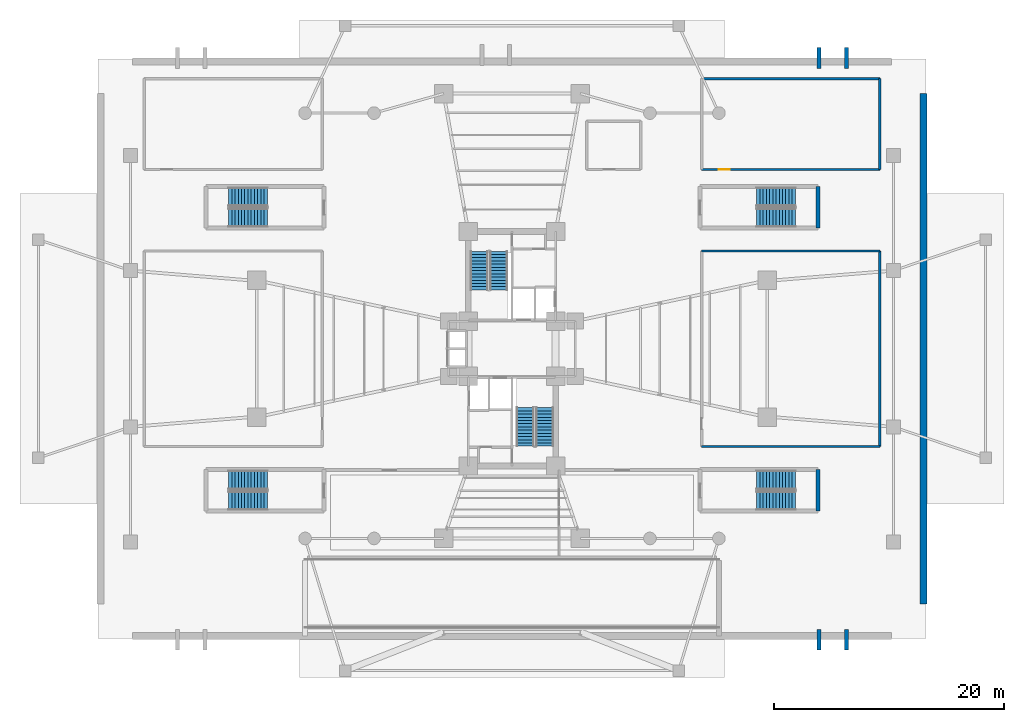
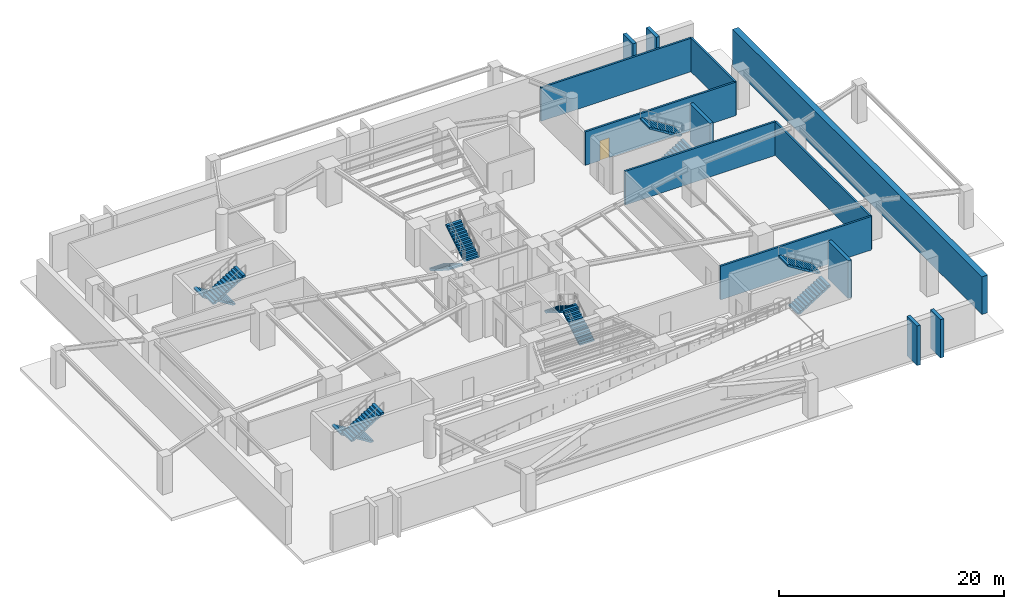
# One storey, part 10 of 14: 13 walls, 12 stair flights, 1 door, 1 opening, 6 elements without a shape of their own.
"""IFC4 building model written with IfcOpenShell, lengths in metres."""

from ifc_helpers import new_model, si_unit, direction, frame, frame_2d, origin, origin_2d, place, context, subcontext, project, spatial, polyline, rectangle, outline, extrude, source, transform, mapped, material, layer, layer_set, type_object, element, fill, aggregate, save


model = new_model("IFC4")

# Units and contexts
model_context = context("Model", 3, precision=1e-05, world=origin(), true_north=direction((0.0, 1.0)))
body_context = subcontext(model_context, "Body", "Model", "MODEL_VIEW")
ifc_project = project(units=[si_unit("LENGTHUNIT", "METRE"), si_unit("AREAUNIT", "SQUARE_METRE"), si_unit("VOLUMEUNIT", "CUBIC_METRE"), si_unit("PLANEANGLEUNIT", "RADIAN"), si_unit("MASSUNIT", "GRAM", prefix="KILO")], contexts=[model_context])

# Site, building, storey
site_placement = place(None, origin())
site = spatial("IfcSite", under=ifc_project, at=site_placement, CompositionType="ELEMENT")
building_placement = place(site_placement, origin())
building = spatial("IfcBuilding", under=site, at=building_placement, Name="Sahyath Konkavel Grand Hotel", CompositionType="ELEMENT")
storey_placement = place(building_placement, frame((0.0, 0.0, -4.5)))
storey = spatial("IfcBuildingStorey", under=building, at=storey_placement, Name="B1", CompositionType="ELEMENT", Elevation=-4.5)

# Walls
ifc_material_1 = material(Name="Concrete C50/60", Category="concrete")
ifc_layer_1 = layer(ifc_material_1, 0.60009765625)
ifc_layer_set_1 = layer_set([ifc_layer_1], Name="Concrete C50/60")
wall_type_1 = type_object("IfcWallType", Name="BWALL-600", PredefinedType="SOLIDWALL", material=ifc_layer_set_1)
wall_1_placement = place(storey_placement, frame((35.800048828125, -22.199951171875, 0.0), z_axis=(0.0, 0.0, 1.0), x_axis=(0.0, 1.0, 0.0)))
element("IfcWall", 1, at=wall_1_placement, inside=storey, type_object=wall_type_1, Name="B1 Perimeter Retaining Wall E", PredefinedType="SOLIDWALL", context=body_context, shape_type="SweptSolid", body=[
    extrude(rectangle(XDim=44.39990234375, YDim=0.60009765625, at=frame_2d((22.199951171875, 0.0))), origin(), (0.0, 0.0, 1.0), 4.10009765625),
])
ifc_material_2 = material(Name="Concrete C40/50", Category="concrete")
ifc_layer_2 = layer(ifc_material_2, 0.35009765625)
ifc_layer_set_2 = layer_set([ifc_layer_2], Name="Concrete C40/50")
wall_type_2 = type_object("IfcWallType", Name="CWALL-350", PredefinedType="SHEAR", material=ifc_layer_set_2)
wall_2_placement = place(storey_placement, frame((26.699951171875, 24.39990234375, 0.0), z_axis=(0.0, 0.0, 1.0), x_axis=(0.0, 1.0, 0.0)))
element("IfcWall", 2, at=wall_2_placement, inside=storey, type_object=wall_type_2, Name="B1 Pedestrian Ramp Bearing Wall PR2-A", PredefinedType="SHEAR", context=body_context, shape_type="SweptSolid", body=[
    extrude(rectangle(XDim=1.800048828125, YDim=0.35009765625, at=frame_2d((0.89990234375, 0.0))), origin(), (0.0, 0.0, 1.0), 4.320068359375),
])
wall_3_placement = place(storey_placement, frame((29.10009765625, 24.39990234375, 0.0), z_axis=(0.0, 0.0, 1.0), x_axis=(0.0, 1.0, 0.0)))
element("IfcWall", 3, at=wall_3_placement, inside=storey, type_object=wall_type_2, Name="B1 Pedestrian Ramp Bearing Wall PR2-B", PredefinedType="SHEAR", context=body_context, shape_type="SweptSolid", body=[
    extrude(rectangle(XDim=1.800048828125, YDim=0.35009765625, at=frame_2d((0.89990234375, 0.0))), origin(), (0.0, 0.0, 1.0), 4.169921875),
])
wall_4_placement = place(storey_placement, frame((26.699951171875, -26.199951171875, 0.0), z_axis=(0.0, 0.0, 1.0), x_axis=(0.0, 1.0, 0.0)))
element("IfcWall", 4, at=wall_4_placement, inside=storey, type_object=wall_type_2, Name="B1 Pedestrian Ramp Bearing Wall PR4-A", PredefinedType="SHEAR", context=body_context, shape_type="SweptSolid", body=[
    extrude(rectangle(XDim=1.800048828125, YDim=0.35009765625, at=frame_2d((0.89990234375, 0.0))), origin(), (0.0, 0.0, 1.0), 4.320068359375),
])
wall_5_placement = place(storey_placement, frame((29.10009765625, -26.199951171875, 0.0), z_axis=(0.0, 0.0, 1.0), x_axis=(0.0, 1.0, 0.0)))
element("IfcWall", 5, at=wall_5_placement, inside=storey, type_object=wall_type_2, Name="B1 Pedestrian Ramp Bearing Wall PR4-B", PredefinedType="SHEAR", context=body_context, shape_type="SweptSolid", body=[
    extrude(rectangle(XDim=1.800048828125, YDim=0.35009765625, at=frame_2d((0.89990234375, 0.0))), origin(), (0.0, 0.0, 1.0), 4.169921875),
])
for number, where, z_axis, x_axis, name in (
    (6, (26.60009765625, 10.52001953125, 0.0), (0.0, 0.0, 1.0), (0.0, 1.0, 0.0), "B1 Partition ST-P2-E"),
    (7, (26.60009765625, -14.10009765625, 0.0), (0.0, 0.0, 1.0), (0.0, 1.0, 0.0), "B1 Partition ST-P4-E"),
):
    element("IfcWall", number, at=place(storey_placement, frame(where, z_axis=z_axis, x_axis=x_axis)), inside=storey, type_object=wall_type_2, Name=name, PredefinedType="SHEAR", context=body_context, shape_type="SweptSolid", body=[
        extrude(rectangle(XDim=3.580078125, YDim=0.35009765625, at=frame_2d((1.7900390625, 0.0))), origin(), (0.0, 0.0, 1.0), 4.10009765625),
    ])
ifc_layer_3 = layer(ifc_material_2, 0.199951171875)
ifc_layer_set_3 = layer_set([ifc_layer_3], Name="Concrete C40/50")
wall_type_3 = type_object("IfcWallType", Name="WLL-CORE-200", PredefinedType="SOLIDWALL", material=ifc_layer_set_3)
for number, where, z_axis, x_axis, name in (
    (8, (16.5, 8.5, 0.0), (0.0, 0.0, 1.0), (1.0, 0.0, 0.0), "B1 Partition B1-SUBS-N"),
    (9, (16.5, -8.5, 0.0), (0.0, 0.0, 1.0), (1.0, 0.0, 0.0), "B1 Partition B1-SUBS-S"),
):
    element("IfcWall", number, at=place(storey_placement, frame(where, z_axis=z_axis, x_axis=x_axis)), inside=storey, type_object=wall_type_3, Name=name, PredefinedType="SOLIDWALL", context=body_context, shape_type="SweptSolid", body=[
        extrude(rectangle(XDim=15.5, YDim=0.199951171875, at=frame_2d((7.75, 0.0))), origin(), (0.0, 0.0, 1.0), 3.64990234375),
    ])
wall_6_placement = place(storey_placement, frame((32.0, -8.5, 0.0), z_axis=(0.0, 0.0, 1.0), x_axis=(0.0, 1.0, 0.0)))
element("IfcWall", 10, at=wall_6_placement, inside=storey, type_object=wall_type_3, Name="B1 Partition B1-SUBS-E", PredefinedType="SOLIDWALL", context=body_context, shape_type="SweptSolid", body=[
    extrude(rectangle(XDim=17.0, YDim=0.199951171875, at=frame_2d((8.5, 0.0))), origin(), (0.0, 0.0, 1.0), 3.64990234375),
])
wall_7_placement = place(storey_placement, frame((16.5, 23.5, 0.0), z_axis=(0.0, 0.0, 1.0), x_axis=(1.0, 0.0, 0.0)))
element("IfcWall", 11, at=wall_7_placement, inside=storey, type_object=wall_type_3, Name="B1 Partition B1-LAUN-N", PredefinedType="SOLIDWALL", context=body_context, shape_type="SweptSolid", body=[
    extrude(rectangle(XDim=15.5, YDim=0.199951171875, at=frame_2d((7.75, 0.0))), origin(), (0.0, 0.0, 1.0), 3.64990234375),
])

# Wall, opening, door
wall_8_placement = place(storey_placement, frame((16.5, 15.60009765625, 0.0), z_axis=(0.0, 0.0, 1.0), x_axis=(1.0, 0.0, 0.0)))
wall_8 = element("IfcWall", 12, at=wall_8_placement, inside=storey, type_object=wall_type_3, Name="B1 Partition B1-LAUN-S", PredefinedType="SOLIDWALL", context=body_context, shape_type="SweptSolid", body=[
    extrude(rectangle(XDim=15.5, YDim=0.199951171875, at=frame_2d((7.75, 0.0))), origin(), (0.0, 0.0, 1.0), 3.64990234375),
])
opening_placement = place(wall_8_placement, frame((1.5, 0.0, 0.0)))
opening = element("IfcOpeningElement", 13, at=opening_placement, cuts=wall_8, Name="Opening D-F06B", PredefinedType="OPENING", context=body_context, shape_type="SweptSolid", body=[
    extrude(rectangle(XDim=0.949951171875, YDim=2.14990234375, at=frame_2d((0.47509765625, 1.074951171875))), frame((0.0, 0.10986328125, 0.0), z_axis=(0.0, -1.0, 0.0), x_axis=(1.0, 0.0, 0.0)), (0.0, 0.0, 1.0), 0.219970703125),
])
ifc_material_3 = material(Name="Teak Veneer Fire-Rated Guest Entrance Door")
door_type = type_object("IfcDoorType", Name="DR-FD60-950", OperationType="NOTDEFINED", PredefinedType="DOOR", material=ifc_material_3)
shared_shape = source(origin(), body_context, "Body", "SweptSolid", [
    extrude(rectangle(XDim=0.949951171875, YDim=0.050048828125, at=origin_2d()), origin(), (0.0, 0.0, 1.0), 2.14990234375),
])
door_placement = place(opening_placement, frame((0.47509765625, 0.0, 0.0)))
door = element("IfcDoor", 14, at=door_placement, inside=storey, type_object=door_type, Name="B1 Door B1-LAUN-D", OperationType="SINGLE_SWING_RIGHT", OverallHeight=2.14990234375, OverallWidth=0.949951171875, PredefinedType="DOOR", context=body_context, shape_type="MappedRepresentation", body=[
    mapped(shared_shape, transform((0.0, 0.0, 0.0), scale=1.0)),
])
fill(opening, door)

# Wall
wall_9_placement = place(storey_placement, frame((32.0, 15.60009765625, 0.0), z_axis=(0.0, 0.0, 1.0), x_axis=(0.0, 1.0, 0.0)))
element("IfcWall", 15, at=wall_9_placement, inside=storey, type_object=wall_type_3, Name="B1 Partition B1-LAUN-E", PredefinedType="SOLIDWALL", context=body_context, shape_type="SweptSolid", body=[
    extrude(rectangle(XDim=7.89990234375, YDim=0.199951171875, at=frame_2d((3.949951171875, 0.0))), origin(), (0.0, 0.0, 1.0), 3.64990234375),
])

# Stair, stair flights
stair_type = type_object("IfcStairType", Name="STR-ST16-450", PredefinedType="HALF_TURN_STAIR", material=ifc_material_2)
stair_1_placement = place(storey_placement, origin())
stair_1 = element("IfcStair", 16, at=stair_1_placement, inside=storey, type_object=stair_type, Name="B1 North Core Smokeproof Exit Stair ST-1", PredefinedType="HALF_TURN_STAIR")
stair_flight_type = type_object("IfcStairFlightType", Name="STF-ST16-450", PredefinedType="STRAIGHT", material=ifc_material_2)
stair_flight_1_placement = place(storey_placement, frame((-2.840087890625, 8.47998046875, 0.0), z_axis=(0.0, 0.0, 1.0), x_axis=(0.0, -1.0, 0.0)))
stair_flight_1 = element("IfcStairFlight", 17, at=stair_flight_1_placement, type_object=stair_flight_type, Name="ST-1 flight 1", NumberOfRisers=13, NumberOfTreads=12, PredefinedType="STRAIGHT", RiserHeight=0.173076923, TreadLength=0.28, context=body_context, shape_type="SweptSolid", body=[
    extrude(outline(polyline([(0.0, 0.0), (0.0, 0.173095703125), (0.280029296875, 0.173095703125), (0.280029296875, 0.34619140625), (0.56005859375, 0.34619140625), (0.56005859375, 0.519287109375), (0.840087890625, 0.519287109375), (0.840087890625, 0.6923828125), (1.1201171875, 0.6923828125), (1.1201171875, 0.865478515625), (1.39990234375, 0.865478515625), (1.39990234375, 1.03857421875), (1.679931640625, 1.03857421875), (1.679931640625, 1.21142578125), (1.9599609375, 1.21142578125), (1.9599609375, 1.384521484375), (2.239990234375, 1.384521484375), (2.239990234375, 1.5576171875), (2.52001953125, 1.5576171875), (2.52001953125, 1.730712890625), (2.800048828125, 1.730712890625), (2.800048828125, 1.90380859375), (3.080078125, 1.90380859375), (3.080078125, 2.076904296875), (3.360107421875, 2.076904296875), (3.360107421875, 2.25), (3.360107421875, 1.900634765625), (0.28515625, 0.0), (0.0, 0.0)])), frame((0.0, 0.760009765625, 0.0), z_axis=(0.0, -1.0, 0.0), x_axis=(1.0, 0.0, 0.0)), (0.0, 0.0, 1.0), 1.52001953125),
])
stair_flight_2_placement = place(storey_placement, frame((-1.159912109375, 5.1201171875, 2.25), z_axis=(0.0, 0.0, 1.0), x_axis=(0.0, 1.0, 0.0)))
stair_flight_2 = element("IfcStairFlight", 18, at=stair_flight_2_placement, type_object=stair_flight_type, Name="ST-1 flight 2", NumberOfRisers=13, NumberOfTreads=12, PredefinedType="STRAIGHT", RiserHeight=0.173076923, TreadLength=0.28, context=body_context, shape_type="SweptSolid", body=[
    extrude(outline(polyline([(0.0, 0.0), (0.0, 0.173095703125), (0.280029296875, 0.173095703125), (0.280029296875, 0.34619140625), (0.56005859375, 0.34619140625), (0.56005859375, 0.519287109375), (0.840087890625, 0.519287109375), (0.840087890625, 0.6923828125), (1.1201171875, 0.6923828125), (1.1201171875, 0.865478515625), (1.39990234375, 0.865478515625), (1.39990234375, 1.03857421875), (1.679931640625, 1.03857421875), (1.679931640625, 1.21142578125), (1.9599609375, 1.21142578125), (1.9599609375, 1.384521484375), (2.239990234375, 1.384521484375), (2.239990234375, 1.5576171875), (2.52001953125, 1.5576171875), (2.52001953125, 1.730712890625), (2.800048828125, 1.730712890625), (2.800048828125, 1.90380859375), (3.080078125, 1.90380859375), (3.080078125, 2.076904296875), (3.360107421875, 2.076904296875), (3.360107421875, 2.25), (3.360107421875, 1.900634765625), (0.28515625, 0.0), (0.0, 0.0)])), frame((0.0, 0.760009765625, 0.0), z_axis=(0.0, -1.0, 0.0), x_axis=(1.0, 0.0, 0.0)), (0.0, 0.0, 1.0), 1.52001953125),
])
aggregate(stair_1, [stair_flight_1, stair_flight_2])

stair_2_placement = place(storey_placement, origin())
stair_2 = element("IfcStair", 19, at=stair_2_placement, inside=storey, type_object=stair_type, Name="B1 South Core Smokeproof Exit Stair ST-2", PredefinedType="HALF_TURN_STAIR")
stair_flight_3_placement = place(storey_placement, frame((2.840087890625, -8.47998046875, 0.0), z_axis=(0.0, 0.0, 1.0), x_axis=(0.0, 1.0, 0.0)))
stair_flight_3 = element("IfcStairFlight", 20, at=stair_flight_3_placement, type_object=stair_flight_type, Name="ST-2 flight 1", NumberOfRisers=13, NumberOfTreads=12, PredefinedType="STRAIGHT", RiserHeight=0.173076923, TreadLength=0.28, context=body_context, shape_type="SweptSolid", body=[
    extrude(outline(polyline([(0.0, 0.0), (0.0, 0.173095703125), (0.280029296875, 0.173095703125), (0.280029296875, 0.34619140625), (0.56005859375, 0.34619140625), (0.56005859375, 0.519287109375), (0.840087890625, 0.519287109375), (0.840087890625, 0.6923828125), (1.1201171875, 0.6923828125), (1.1201171875, 0.865478515625), (1.39990234375, 0.865478515625), (1.39990234375, 1.03857421875), (1.679931640625, 1.03857421875), (1.679931640625, 1.21142578125), (1.9599609375, 1.21142578125), (1.9599609375, 1.384521484375), (2.239990234375, 1.384521484375), (2.239990234375, 1.5576171875), (2.52001953125, 1.5576171875), (2.52001953125, 1.730712890625), (2.800048828125, 1.730712890625), (2.800048828125, 1.90380859375), (3.080078125, 1.90380859375), (3.080078125, 2.076904296875), (3.360107421875, 2.076904296875), (3.360107421875, 2.25), (3.360107421875, 1.900634765625), (0.28515625, 0.0), (0.0, 0.0)])), frame((0.0, 0.760009765625, 0.0), z_axis=(0.0, -1.0, 0.0), x_axis=(1.0, 0.0, 0.0)), (0.0, 0.0, 1.0), 1.52001953125),
])
stair_flight_4_placement = place(storey_placement, frame((1.159912109375, -5.1201171875, 2.25), z_axis=(0.0, 0.0, 1.0), x_axis=(0.0, -1.0, 0.0)))
stair_flight_4 = element("IfcStairFlight", 21, at=stair_flight_4_placement, type_object=stair_flight_type, Name="ST-2 flight 2", NumberOfRisers=13, NumberOfTreads=12, PredefinedType="STRAIGHT", RiserHeight=0.173076923, TreadLength=0.28, context=body_context, shape_type="SweptSolid", body=[
    extrude(outline(polyline([(0.0, 0.0), (0.0, 0.173095703125), (0.280029296875, 0.173095703125), (0.280029296875, 0.34619140625), (0.56005859375, 0.34619140625), (0.56005859375, 0.519287109375), (0.840087890625, 0.519287109375), (0.840087890625, 0.6923828125), (1.1201171875, 0.6923828125), (1.1201171875, 0.865478515625), (1.39990234375, 0.865478515625), (1.39990234375, 1.03857421875), (1.679931640625, 1.03857421875), (1.679931640625, 1.21142578125), (1.9599609375, 1.21142578125), (1.9599609375, 1.384521484375), (2.239990234375, 1.384521484375), (2.239990234375, 1.5576171875), (2.52001953125, 1.5576171875), (2.52001953125, 1.730712890625), (2.800048828125, 1.730712890625), (2.800048828125, 1.90380859375), (3.080078125, 1.90380859375), (3.080078125, 2.076904296875), (3.360107421875, 2.076904296875), (3.360107421875, 2.25), (3.360107421875, 1.900634765625), (0.28515625, 0.0), (0.0, 0.0)])), frame((0.0, 0.760009765625, 0.0), z_axis=(0.0, -1.0, 0.0), x_axis=(1.0, 0.0, 0.0)), (0.0, 0.0, 1.0), 1.52001953125),
])
aggregate(stair_2, [stair_flight_3, stair_flight_4])

stair_3_placement = place(storey_placement, origin())
stair_3 = element("IfcStair", 22, at=stair_3_placement, inside=storey, type_object=stair_type, Name="B1 Podium Protected Exit Stair ST-P1", PredefinedType="HALF_TURN_STAIR")
stair_flight_5_placement = place(storey_placement, frame((-21.2900390625, 13.215087890625, 0.0), z_axis=(0.0, 0.0, 1.0), x_axis=(-1.0, 0.0, 0.0)))
stair_flight_5 = element("IfcStairFlight", 23, at=stair_flight_5_placement, type_object=stair_flight_type, Name="ST-P1 flight 1", NumberOfRisers=13, NumberOfTreads=12, PredefinedType="STRAIGHT", RiserHeight=0.173076923, TreadLength=0.28, context=body_context, shape_type="SweptSolid", body=[
    extrude(outline(polyline([(0.0, 0.0), (0.0, 0.173095703125), (0.280029296875, 0.173095703125), (0.280029296875, 0.34619140625), (0.56005859375, 0.34619140625), (0.56005859375, 0.519287109375), (0.840087890625, 0.519287109375), (0.840087890625, 0.6923828125), (1.1201171875, 0.6923828125), (1.1201171875, 0.865478515625), (1.39990234375, 0.865478515625), (1.39990234375, 1.03857421875), (1.679931640625, 1.03857421875), (1.679931640625, 1.21142578125), (1.9599609375, 1.21142578125), (1.9599609375, 1.384521484375), (2.239990234375, 1.384521484375), (2.239990234375, 1.5576171875), (2.52001953125, 1.5576171875), (2.52001953125, 1.730712890625), (2.800048828125, 1.730712890625), (2.800048828125, 1.90380859375), (3.080078125, 1.90380859375), (3.080078125, 2.076904296875), (3.360107421875, 2.076904296875), (3.360107421875, 2.25), (3.360107421875, 1.900634765625), (0.28515625, 0.0), (0.0, 0.0)])), frame((0.0, 0.824951171875, 0.0), z_axis=(0.0, -1.0, 0.0), x_axis=(1.0, 0.0, 0.0)), (0.0, 0.0, 1.0), 1.64990234375),
])
stair_flight_6_placement = place(storey_placement, frame((-24.64990234375, 11.405029296875, 2.25), z_axis=(0.0, 0.0, 1.0), x_axis=(1.0, 0.0, 0.0)))
stair_flight_6 = element("IfcStairFlight", 24, at=stair_flight_6_placement, type_object=stair_flight_type, Name="ST-P1 flight 2", NumberOfRisers=13, NumberOfTreads=12, PredefinedType="STRAIGHT", RiserHeight=0.173076923, TreadLength=0.28, context=body_context, shape_type="SweptSolid", body=[
    extrude(outline(polyline([(0.0, 0.0), (0.0, 0.173095703125), (0.280029296875, 0.173095703125), (0.280029296875, 0.34619140625), (0.56005859375, 0.34619140625), (0.56005859375, 0.519287109375), (0.840087890625, 0.519287109375), (0.840087890625, 0.6923828125), (1.1201171875, 0.6923828125), (1.1201171875, 0.865478515625), (1.39990234375, 0.865478515625), (1.39990234375, 1.03857421875), (1.679931640625, 1.03857421875), (1.679931640625, 1.21142578125), (1.9599609375, 1.21142578125), (1.9599609375, 1.384521484375), (2.239990234375, 1.384521484375), (2.239990234375, 1.5576171875), (2.52001953125, 1.5576171875), (2.52001953125, 1.730712890625), (2.800048828125, 1.730712890625), (2.800048828125, 1.90380859375), (3.080078125, 1.90380859375), (3.080078125, 2.076904296875), (3.360107421875, 2.076904296875), (3.360107421875, 2.25), (3.360107421875, 1.900634765625), (0.28515625, 0.0), (0.0, 0.0)])), frame((0.0, 0.824951171875, 0.0), z_axis=(0.0, -1.0, 0.0), x_axis=(1.0, 0.0, 0.0)), (0.0, 0.0, 1.0), 1.64990234375),
])
aggregate(stair_3, [stair_flight_5, stair_flight_6])

stair_4_placement = place(storey_placement, origin())
stair_4 = element("IfcStair", 25, at=stair_4_placement, inside=storey, type_object=stair_type, Name="B1 Podium Protected Exit Stair ST-P2", PredefinedType="HALF_TURN_STAIR")
stair_flight_7_placement = place(storey_placement, frame((21.2900390625, 11.405029296875, 0.0), z_axis=(0.0, 0.0, 1.0), x_axis=(1.0, 0.0, 0.0)))
stair_flight_7 = element("IfcStairFlight", 26, at=stair_flight_7_placement, type_object=stair_flight_type, Name="ST-P2 flight 1", NumberOfRisers=13, NumberOfTreads=12, PredefinedType="STRAIGHT", RiserHeight=0.173076923, TreadLength=0.28, context=body_context, shape_type="SweptSolid", body=[
    extrude(outline(polyline([(0.0, 0.0), (0.0, 0.173095703125), (0.280029296875, 0.173095703125), (0.280029296875, 0.34619140625), (0.56005859375, 0.34619140625), (0.56005859375, 0.519287109375), (0.840087890625, 0.519287109375), (0.840087890625, 0.6923828125), (1.1201171875, 0.6923828125), (1.1201171875, 0.865478515625), (1.39990234375, 0.865478515625), (1.39990234375, 1.03857421875), (1.679931640625, 1.03857421875), (1.679931640625, 1.21142578125), (1.9599609375, 1.21142578125), (1.9599609375, 1.384521484375), (2.239990234375, 1.384521484375), (2.239990234375, 1.5576171875), (2.52001953125, 1.5576171875), (2.52001953125, 1.730712890625), (2.800048828125, 1.730712890625), (2.800048828125, 1.90380859375), (3.080078125, 1.90380859375), (3.080078125, 2.076904296875), (3.360107421875, 2.076904296875), (3.360107421875, 2.25), (3.360107421875, 1.900634765625), (0.28515625, 0.0), (0.0, 0.0)])), frame((0.0, 0.824951171875, 0.0), z_axis=(0.0, -1.0, 0.0), x_axis=(1.0, 0.0, 0.0)), (0.0, 0.0, 1.0), 1.64990234375),
])
stair_flight_8_placement = place(storey_placement, frame((24.64990234375, 13.215087890625, 2.25), z_axis=(0.0, 0.0, 1.0), x_axis=(-1.0, 0.0, 0.0)))
stair_flight_8 = element("IfcStairFlight", 27, at=stair_flight_8_placement, type_object=stair_flight_type, Name="ST-P2 flight 2", NumberOfRisers=13, NumberOfTreads=12, PredefinedType="STRAIGHT", RiserHeight=0.173076923, TreadLength=0.28, context=body_context, shape_type="SweptSolid", body=[
    extrude(outline(polyline([(0.0, 0.0), (0.0, 0.173095703125), (0.280029296875, 0.173095703125), (0.280029296875, 0.34619140625), (0.56005859375, 0.34619140625), (0.56005859375, 0.519287109375), (0.840087890625, 0.519287109375), (0.840087890625, 0.6923828125), (1.1201171875, 0.6923828125), (1.1201171875, 0.865478515625), (1.39990234375, 0.865478515625), (1.39990234375, 1.03857421875), (1.679931640625, 1.03857421875), (1.679931640625, 1.21142578125), (1.9599609375, 1.21142578125), (1.9599609375, 1.384521484375), (2.239990234375, 1.384521484375), (2.239990234375, 1.5576171875), (2.52001953125, 1.5576171875), (2.52001953125, 1.730712890625), (2.800048828125, 1.730712890625), (2.800048828125, 1.90380859375), (3.080078125, 1.90380859375), (3.080078125, 2.076904296875), (3.360107421875, 2.076904296875), (3.360107421875, 2.25), (3.360107421875, 1.900634765625), (0.28515625, 0.0), (0.0, 0.0)])), frame((0.0, 0.824951171875, 0.0), z_axis=(0.0, -1.0, 0.0), x_axis=(1.0, 0.0, 0.0)), (0.0, 0.0, 1.0), 1.64990234375),
])
aggregate(stair_4, [stair_flight_7, stair_flight_8])

stair_5_placement = place(storey_placement, origin())
stair_5 = element("IfcStair", 28, at=stair_5_placement, inside=storey, type_object=stair_type, Name="B1 Podium Protected Exit Stair ST-P3", PredefinedType="HALF_TURN_STAIR")
stair_flight_9_placement = place(storey_placement, frame((-21.2900390625, -11.405029296875, 0.0), z_axis=(0.0, 0.0, 1.0), x_axis=(-1.0, 0.0, 0.0)))
stair_flight_9 = element("IfcStairFlight", 29, at=stair_flight_9_placement, type_object=stair_flight_type, Name="ST-P3 flight 1", NumberOfRisers=13, NumberOfTreads=12, PredefinedType="STRAIGHT", RiserHeight=0.173076923, TreadLength=0.28, context=body_context, shape_type="SweptSolid", body=[
    extrude(outline(polyline([(0.0, 0.0), (0.0, 0.173095703125), (0.280029296875, 0.173095703125), (0.280029296875, 0.34619140625), (0.56005859375, 0.34619140625), (0.56005859375, 0.519287109375), (0.840087890625, 0.519287109375), (0.840087890625, 0.6923828125), (1.1201171875, 0.6923828125), (1.1201171875, 0.865478515625), (1.39990234375, 0.865478515625), (1.39990234375, 1.03857421875), (1.679931640625, 1.03857421875), (1.679931640625, 1.21142578125), (1.9599609375, 1.21142578125), (1.9599609375, 1.384521484375), (2.239990234375, 1.384521484375), (2.239990234375, 1.5576171875), (2.52001953125, 1.5576171875), (2.52001953125, 1.730712890625), (2.800048828125, 1.730712890625), (2.800048828125, 1.90380859375), (3.080078125, 1.90380859375), (3.080078125, 2.076904296875), (3.360107421875, 2.076904296875), (3.360107421875, 2.25), (3.360107421875, 1.900634765625), (0.28515625, 0.0), (0.0, 0.0)])), frame((0.0, 0.824951171875, 0.0), z_axis=(0.0, -1.0, 0.0), x_axis=(1.0, 0.0, 0.0)), (0.0, 0.0, 1.0), 1.64990234375),
])
stair_flight_10_placement = place(storey_placement, frame((-24.64990234375, -13.215087890625, 2.25), z_axis=(0.0, 0.0, 1.0), x_axis=(1.0, 0.0, 0.0)))
stair_flight_10 = element("IfcStairFlight", 30, at=stair_flight_10_placement, type_object=stair_flight_type, Name="ST-P3 flight 2", NumberOfRisers=13, NumberOfTreads=12, PredefinedType="STRAIGHT", RiserHeight=0.173076923, TreadLength=0.28, context=body_context, shape_type="SweptSolid", body=[
    extrude(outline(polyline([(0.0, 0.0), (0.0, 0.173095703125), (0.280029296875, 0.173095703125), (0.280029296875, 0.34619140625), (0.56005859375, 0.34619140625), (0.56005859375, 0.519287109375), (0.840087890625, 0.519287109375), (0.840087890625, 0.6923828125), (1.1201171875, 0.6923828125), (1.1201171875, 0.865478515625), (1.39990234375, 0.865478515625), (1.39990234375, 1.03857421875), (1.679931640625, 1.03857421875), (1.679931640625, 1.21142578125), (1.9599609375, 1.21142578125), (1.9599609375, 1.384521484375), (2.239990234375, 1.384521484375), (2.239990234375, 1.5576171875), (2.52001953125, 1.5576171875), (2.52001953125, 1.730712890625), (2.800048828125, 1.730712890625), (2.800048828125, 1.90380859375), (3.080078125, 1.90380859375), (3.080078125, 2.076904296875), (3.360107421875, 2.076904296875), (3.360107421875, 2.25), (3.360107421875, 1.900634765625), (0.28515625, 0.0), (0.0, 0.0)])), frame((0.0, 0.824951171875, 0.0), z_axis=(0.0, -1.0, 0.0), x_axis=(1.0, 0.0, 0.0)), (0.0, 0.0, 1.0), 1.64990234375),
])
aggregate(stair_5, [stair_flight_9, stair_flight_10])

stair_6_placement = place(storey_placement, origin())
stair_6 = element("IfcStair", 31, at=stair_6_placement, inside=storey, type_object=stair_type, Name="B1 Podium Protected Exit Stair ST-P4", PredefinedType="HALF_TURN_STAIR")
stair_flight_11_placement = place(storey_placement, frame((21.2900390625, -13.215087890625, 0.0), z_axis=(0.0, 0.0, 1.0), x_axis=(1.0, 0.0, 0.0)))
stair_flight_11 = element("IfcStairFlight", 32, at=stair_flight_11_placement, type_object=stair_flight_type, Name="ST-P4 flight 1", NumberOfRisers=13, NumberOfTreads=12, PredefinedType="STRAIGHT", RiserHeight=0.173076923, TreadLength=0.28, context=body_context, shape_type="SweptSolid", body=[
    extrude(outline(polyline([(0.0, 0.0), (0.0, 0.173095703125), (0.280029296875, 0.173095703125), (0.280029296875, 0.34619140625), (0.56005859375, 0.34619140625), (0.56005859375, 0.519287109375), (0.840087890625, 0.519287109375), (0.840087890625, 0.6923828125), (1.1201171875, 0.6923828125), (1.1201171875, 0.865478515625), (1.39990234375, 0.865478515625), (1.39990234375, 1.03857421875), (1.679931640625, 1.03857421875), (1.679931640625, 1.21142578125), (1.9599609375, 1.21142578125), (1.9599609375, 1.384521484375), (2.239990234375, 1.384521484375), (2.239990234375, 1.5576171875), (2.52001953125, 1.5576171875), (2.52001953125, 1.730712890625), (2.800048828125, 1.730712890625), (2.800048828125, 1.90380859375), (3.080078125, 1.90380859375), (3.080078125, 2.076904296875), (3.360107421875, 2.076904296875), (3.360107421875, 2.25), (3.360107421875, 1.900634765625), (0.28515625, 0.0), (0.0, 0.0)])), frame((0.0, 0.824951171875, 0.0), z_axis=(0.0, -1.0, 0.0), x_axis=(1.0, 0.0, 0.0)), (0.0, 0.0, 1.0), 1.64990234375),
])
stair_flight_12_placement = place(storey_placement, frame((24.64990234375, -11.405029296875, 2.25), z_axis=(0.0, 0.0, 1.0), x_axis=(-1.0, 0.0, 0.0)))
stair_flight_12 = element("IfcStairFlight", 33, at=stair_flight_12_placement, type_object=stair_flight_type, Name="ST-P4 flight 2", NumberOfRisers=13, NumberOfTreads=12, PredefinedType="STRAIGHT", RiserHeight=0.173076923, TreadLength=0.28, context=body_context, shape_type="SweptSolid", body=[
    extrude(outline(polyline([(0.0, 0.0), (0.0, 0.173095703125), (0.280029296875, 0.173095703125), (0.280029296875, 0.34619140625), (0.56005859375, 0.34619140625), (0.56005859375, 0.519287109375), (0.840087890625, 0.519287109375), (0.840087890625, 0.6923828125), (1.1201171875, 0.6923828125), (1.1201171875, 0.865478515625), (1.39990234375, 0.865478515625), (1.39990234375, 1.03857421875), (1.679931640625, 1.03857421875), (1.679931640625, 1.21142578125), (1.9599609375, 1.21142578125), (1.9599609375, 1.384521484375), (2.239990234375, 1.384521484375), (2.239990234375, 1.5576171875), (2.52001953125, 1.5576171875), (2.52001953125, 1.730712890625), (2.800048828125, 1.730712890625), (2.800048828125, 1.90380859375), (3.080078125, 1.90380859375), (3.080078125, 2.076904296875), (3.360107421875, 2.076904296875), (3.360107421875, 2.25), (3.360107421875, 1.900634765625), (0.28515625, 0.0), (0.0, 0.0)])), frame((0.0, 0.824951171875, 0.0), z_axis=(0.0, -1.0, 0.0), x_axis=(1.0, 0.0, 0.0)), (0.0, 0.0, 1.0), 1.64990234375),
])
aggregate(stair_6, [stair_flight_11, stair_flight_12])

save(model, "model.ifc")
